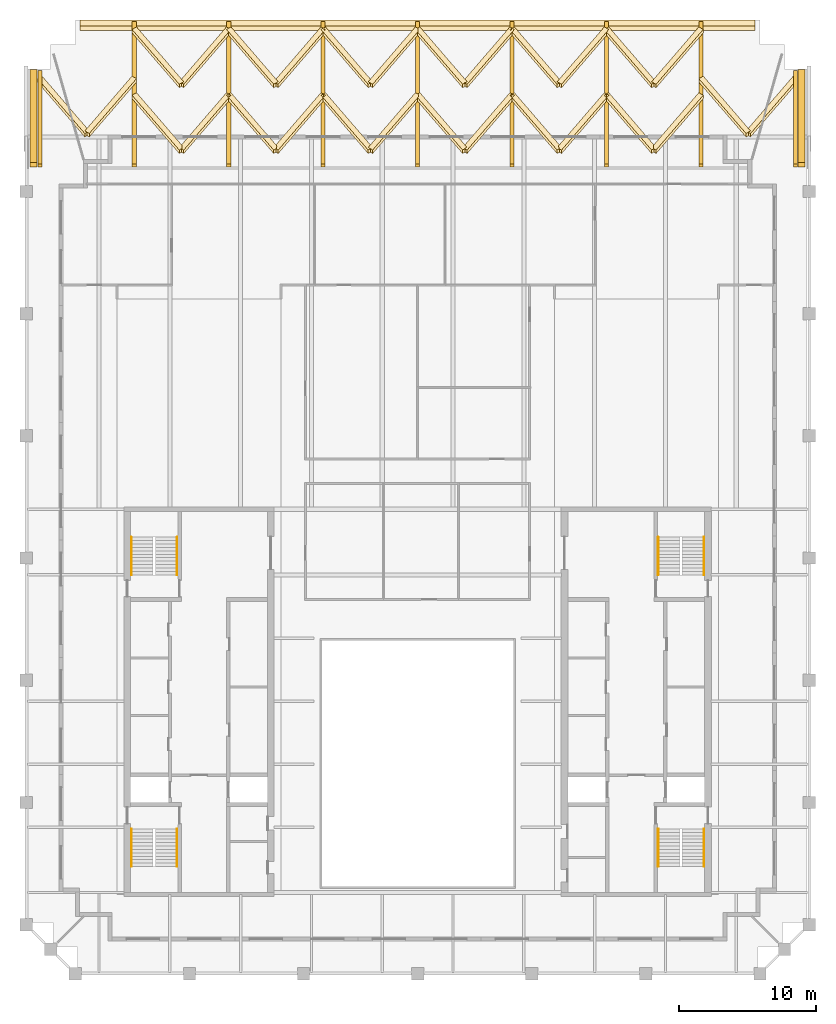
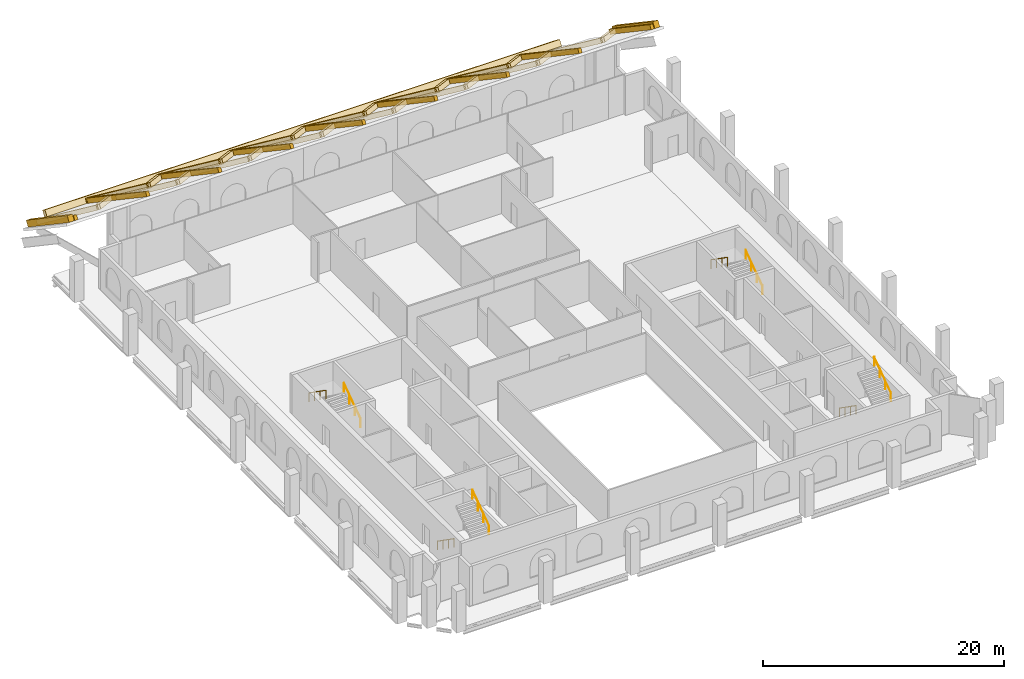
# One storey, part 10 of 10: 40 coverings, 8 railings.
"""IFC4 building model written with IfcOpenShell, lengths in metres."""

from ifc_helpers import new_model, si_unit, direction, frame, origin, origin_2d, place, context, subcontext, project, spatial, rectangle, circle, extrude, material, material_profile, profile_set, type_object, element, save


model = new_model("IFC4")

# Units and contexts
model_context = context("Model", 3, precision=1e-05, world=origin(), true_north=direction((0.0, 1.0)))
body_context = subcontext(model_context, "Body", "Model", "MODEL_VIEW")
ifc_project = project(units=[si_unit("LENGTHUNIT", "METRE"), si_unit("AREAUNIT", "SQUARE_METRE"), si_unit("VOLUMEUNIT", "CUBIC_METRE"), si_unit("PLANEANGLEUNIT", "RADIAN"), si_unit("MASSUNIT", "GRAM", prefix="KILO")], contexts=[model_context])

# Site, building, storey
site_placement = place(None, origin())
site = spatial("IfcSite", under=ifc_project, at=site_placement, CompositionType="ELEMENT")
building_placement = place(site_placement, origin())
building = spatial("IfcBuilding", under=site, at=building_placement, Name="Ogive Exchange Tower", CompositionType="ELEMENT")
storey_placement = place(building_placement, frame((0.0, 0.0, 369.0)))
storey = spatial("IfcBuildingStorey", under=building, at=storey_placement, Name="C01", CompositionType="ELEMENT", Elevation=369.0)

# Railings
ifc_material_1 = material(Name="Stainless steel", Category="steel")
railing_type = type_object("IfcRailingType", Name="Stair handrail 900", PredefinedType="HANDRAIL", material=ifc_material_1)
railing_1_placement = place(storey_placement, frame((-20.949951171875, 2.199951171875, 0.175048828125)))
element("IfcRailing", 1, at=railing_1_placement, inside=storey, type_object=railing_type, Name="C01 ST1 stair handrail 1", PredefinedType="HANDRAIL", context=body_context, shape_type="SweptSolid", body=[
    extrude(circle(Radius=0.02392578125, at=origin_2d()), frame((0.0, 0.0, 0.8759765625), z_axis=(0.0, -0.819225086817, 0.573472106672), x_axis=(1.0, 0.0, 0.0)), (0.0, 0.0, 1.0), 3.35693359375),
    extrude(circle(Radius=0.02099609375, at=origin_2d()), origin(), (0.0, 0.0, 1.0), 0.851806640625),
    extrude(circle(Radius=0.02099609375, at=origin_2d()), frame((0.0, -0.916748046875, 0.6416015625)), (0.0, 0.0, 1.0), 0.851806640625),
    extrude(circle(Radius=0.02099609375, at=origin_2d()), frame((0.0, -1.833251953125, 1.283447265625)), (0.0, 0.0, 1.0), 0.851806640625),
    extrude(circle(Radius=0.02099609375, at=origin_2d()), frame((0.0, -2.75, 1.925048828125)), (0.0, 0.0, 1.0), 0.851806640625),
])
for number, where, name in (
    (2, (-17.60009765625, -0.550048828125, 2.27490234375), "C01 ST1 stair handrail 2"),
    (3, (-17.60009765625, 20.800048828125, 0.175048828125), "C01 ST2 stair handrail 1"),
):
    element("IfcRailing", number, at=place(storey_placement, frame(where)), inside=storey, type_object=railing_type, Name=name, PredefinedType="HANDRAIL", context=body_context, shape_type="SweptSolid", body=[
        extrude(circle(Radius=0.02392578125, at=origin_2d()), frame((0.0, 0.0, 0.8759765625), z_axis=(0.0, 0.819225086817, 0.573472106672), x_axis=(-1.0, 0.0, 0.0)), (0.0, 0.0, 1.0), 3.35693359375),
        extrude(circle(Radius=0.02099609375, at=origin_2d()), origin(), (0.0, 0.0, 1.0), 0.851806640625),
        extrude(circle(Radius=0.02099609375, at=origin_2d()), frame((0.0, 0.916748046875, 0.6416015625)), (0.0, 0.0, 1.0), 0.851806640625),
        extrude(circle(Radius=0.02099609375, at=origin_2d()), frame((0.0, 1.833251953125, 1.283447265625)), (0.0, 0.0, 1.0), 0.851806640625),
        extrude(circle(Radius=0.02099609375, at=origin_2d()), frame((0.0, 2.75, 1.925048828125)), (0.0, 0.0, 1.0), 0.851806640625),
    ])
for number, where, name in (
    (4, (-20.949951171875, 23.550048828125, 2.27490234375), "C01 ST2 stair handrail 2"),
    (5, (17.60009765625, 2.199951171875, 0.175048828125), "C01 ST3 stair handrail 1"),
):
    element("IfcRailing", number, at=place(storey_placement, frame(where)), inside=storey, type_object=railing_type, Name=name, PredefinedType="HANDRAIL", context=body_context, shape_type="SweptSolid", body=[
        extrude(circle(Radius=0.02392578125, at=origin_2d()), frame((0.0, 0.0, 0.8759765625), z_axis=(0.0, -0.819225086817, 0.573472106672), x_axis=(1.0, 0.0, 0.0)), (0.0, 0.0, 1.0), 3.35693359375),
        extrude(circle(Radius=0.02099609375, at=origin_2d()), origin(), (0.0, 0.0, 1.0), 0.851806640625),
        extrude(circle(Radius=0.02099609375, at=origin_2d()), frame((0.0, -0.916748046875, 0.6416015625)), (0.0, 0.0, 1.0), 0.851806640625),
        extrude(circle(Radius=0.02099609375, at=origin_2d()), frame((0.0, -1.833251953125, 1.283447265625)), (0.0, 0.0, 1.0), 0.851806640625),
        extrude(circle(Radius=0.02099609375, at=origin_2d()), frame((0.0, -2.75, 1.925048828125)), (0.0, 0.0, 1.0), 0.851806640625),
    ])
for number, where, name in (
    (6, (20.949951171875, -0.550048828125, 2.27490234375), "C01 ST3 stair handrail 2"),
    (7, (20.949951171875, 20.800048828125, 0.175048828125), "C01 ST4 stair handrail 1"),
):
    element("IfcRailing", number, at=place(storey_placement, frame(where)), inside=storey, type_object=railing_type, Name=name, PredefinedType="HANDRAIL", context=body_context, shape_type="SweptSolid", body=[
        extrude(circle(Radius=0.02392578125, at=origin_2d()), frame((0.0, 0.0, 0.8759765625), z_axis=(0.0, 0.819225086817, 0.573472106672), x_axis=(-1.0, 0.0, 0.0)), (0.0, 0.0, 1.0), 3.35693359375),
        extrude(circle(Radius=0.02099609375, at=origin_2d()), origin(), (0.0, 0.0, 1.0), 0.851806640625),
        extrude(circle(Radius=0.02099609375, at=origin_2d()), frame((0.0, 0.916748046875, 0.6416015625)), (0.0, 0.0, 1.0), 0.851806640625),
        extrude(circle(Radius=0.02099609375, at=origin_2d()), frame((0.0, 1.833251953125, 1.283447265625)), (0.0, 0.0, 1.0), 0.851806640625),
        extrude(circle(Radius=0.02099609375, at=origin_2d()), frame((0.0, 2.75, 1.925048828125)), (0.0, 0.0, 1.0), 0.851806640625),
    ])
railing_2_placement = place(storey_placement, frame((17.60009765625, 23.550048828125, 2.27490234375)))
element("IfcRailing", 8, at=railing_2_placement, inside=storey, type_object=railing_type, Name="C01 ST4 stair handrail 2", PredefinedType="HANDRAIL", context=body_context, shape_type="SweptSolid", body=[
    extrude(circle(Radius=0.02392578125, at=origin_2d()), frame((0.0, 0.0, 0.8759765625), z_axis=(0.0, -0.819225086817, 0.573472106672), x_axis=(1.0, 0.0, 0.0)), (0.0, 0.0, 1.0), 3.35693359375),
    extrude(circle(Radius=0.02099609375, at=origin_2d()), origin(), (0.0, 0.0, 1.0), 0.851806640625),
    extrude(circle(Radius=0.02099609375, at=origin_2d()), frame((0.0, -0.916748046875, 0.6416015625)), (0.0, 0.0, 1.0), 0.851806640625),
    extrude(circle(Radius=0.02099609375, at=origin_2d()), frame((0.0, -1.833251953125, 1.283447265625)), (0.0, 0.0, 1.0), 0.851806640625),
    extrude(circle(Radius=0.02099609375, at=origin_2d()), frame((0.0, -2.75, 1.925048828125)), (0.0, 0.0, 1.0), 0.851806640625),
])

# Coverings
ifc_material_2 = material(Name="Limestone cladding on precast concrete", Category="masonry")
ifc_material_profile_1 = material_profile(ifc_material_2, rectangle(XDim=0.5, YDim=0.60009765625, at=origin_2d()), Name="CORNICE 500 x 600")
ifc_profile_set_1 = profile_set([ifc_material_profile_1], Name="Limestone cladding on precast concrete")
covering_type_1 = type_object("IfcCoveringType", Name="Stone cornice course 500 x 600", PredefinedType="CLADDING", material=ifc_profile_set_1)
covering_1_placement = place(storey_placement, frame((-24.699951171875, 61.01806640625, -0.0458984375), z_axis=(1.0, 0.0, 0.0), x_axis=(0.0, 0.829037572555, -0.559192903471)))
element("IfcCovering", 9, at=covering_1_placement, inside=storey, type_object=covering_type_1, Name="Stone cornice course", PredefinedType="CLADDING", context=body_context, shape_type="SweptSolid", body=[
    extrude(rectangle(XDim=0.5, YDim=0.60009765625, at=origin_2d()), origin(), (0.0, 0.0, 1.0), 49.39990234375),
])
for number, where, z_axis, x_axis, name in (
    (10, (-28.10009765625, 50.7958984375, 6.84912109375), (0.0, 0.829007195984, -0.559237935951), (-1.0, 0.0, 0.0), "Stone cornice course"),
    (11, (28.10009765625, 50.7958984375, 6.84912109375), (0.0, 0.829007195984, -0.559237935951), (-1.0, 0.0, 0.0), "Stone cornice course"),
):
    element("IfcCovering", number, at=place(storey_placement, frame(where, z_axis=z_axis, x_axis=x_axis)), inside=storey, type_object=covering_type_1, Name=name, PredefinedType="CLADDING", context=body_context, shape_type="SweptSolid", body=[
        extrude(rectangle(XDim=0.5, YDim=0.60009765625, at=origin_2d()), origin(), (0.0, 0.0, 1.0), 8.229248046875),
    ])
ifc_material_profile_2 = material_profile(ifc_material_2, rectangle(XDim=0.300048828125, YDim=0.449951171875, at=origin_2d()), Name="RIB 300 x 450")
ifc_profile_set_2 = profile_set([ifc_material_profile_2], Name="Limestone cladding on precast concrete")
covering_type_2 = type_object("IfcCoveringType", Name="Stone roof rib 300 x 450", PredefinedType="CLADDING", material=ifc_profile_set_2)
covering_2_placement = place(storey_placement, frame((-27.64990234375, 57.575927734375, 2.18505859375), z_axis=(0.0, -0.829075967189, 0.55913597687), x_axis=(1.0, 0.0, 0.0)))
element("IfcCovering", 12, at=covering_2_placement, inside=storey, type_object=covering_type_2, Name="Stone roof rib", PredefinedType="CLADDING", context=body_context, shape_type="SweptSolid", body=[
    extrude(rectangle(XDim=0.300048828125, YDim=0.449951171875, at=origin_2d()), origin(), (0.0, 0.0, 1.0), 8.228515625),
])
for number, where, z_axis, x_axis, name in (
    (13, (-20.737060546875, 61.176025390625, -0.242919921875), (0.0, -0.829074431935, 0.559138253307), (1.0, 0.0, 0.0), "Stone roof rib"),
    (14, (-13.824951171875, 61.176025390625, -0.242919921875), (0.0, -0.829074431935, 0.559138253307), (1.0, 0.0, 0.0), "Stone roof rib"),
    (15, (-6.9130859375, 61.176025390625, -0.242919921875), (0.0, -0.829074431935, 0.559138253307), (1.0, 0.0, 0.0), "Stone roof rib"),
    (16, (0.0, 61.176025390625, -0.242919921875), (0.0, -0.829074431935, 0.559138253307), (1.0, 0.0, 0.0), "Stone roof rib"),
    (17, (6.9130859375, 61.176025390625, -0.242919921875), (0.0, -0.829074431935, 0.559138253307), (1.0, 0.0, 0.0), "Stone roof rib"),
    (18, (13.824951171875, 61.176025390625, -0.242919921875), (0.0, -0.829074431935, 0.559138253307), (1.0, 0.0, 0.0), "Stone roof rib"),
    (19, (20.737060546875, 61.176025390625, -0.242919921875), (0.0, -0.829074431935, 0.559138253307), (1.0, 0.0, 0.0), "Stone roof rib"),
):
    element("IfcCovering", number, at=place(storey_placement, frame(where, z_axis=z_axis, x_axis=x_axis)), inside=storey, type_object=covering_type_2, Name=name, PredefinedType="CLADDING", context=body_context, shape_type="SweptSolid", body=[
        extrude(rectangle(XDim=0.300048828125, YDim=0.449951171875, at=origin_2d()), origin(), (0.0, 0.0, 1.0), 12.57080078125),
    ])
covering_3_placement = place(storey_placement, frame((27.64990234375, 57.575927734375, 2.18505859375), z_axis=(0.0, -0.829075967189, 0.55913597687), x_axis=(1.0, 0.0, 0.0)))
element("IfcCovering", 20, at=covering_3_placement, inside=storey, type_object=covering_type_2, Name="Stone roof rib", PredefinedType="CLADDING", context=body_context, shape_type="SweptSolid", body=[
    extrude(rectangle(XDim=0.300048828125, YDim=0.449951171875, at=origin_2d()), origin(), (0.0, 0.0, 1.0), 8.228515625),
])
ifc_material_profile_3 = material_profile(ifc_material_2, rectangle(XDim=0.39990234375, YDim=0.449951171875, at=origin_2d()), Name="TRACERY 400 x 450")
ifc_profile_set_3 = profile_set([ifc_material_profile_3], Name="Limestone cladding on precast concrete")
covering_type_3 = type_object("IfcCoveringType", Name="Stone tracery arch 400 x 450", PredefinedType="CLADDING", material=ifc_profile_set_3)
covering_4_placement = place(storey_placement, frame((-27.64990234375, 57.075927734375, 2.52197265625), z_axis=(0.581147534027, -0.674673078535, 0.455064589696), x_axis=(0.813798219588, 0.481769317244, -0.325008896428)))
element("IfcCovering", 21, at=covering_4_placement, inside=storey, type_object=covering_type_3, Name="Stone tracery arch", PredefinedType="CLADDING", context=body_context, shape_type="SweptSolid", body=[
    extrude(rectangle(XDim=0.39990234375, YDim=0.449951171875, at=origin_2d()), origin(), (0.0, 0.0, 1.0), 5.946533203125),
])
covering_5_placement = place(storey_placement, frame((-20.737060546875, 57.075927734375, 2.52197265625), z_axis=(-0.581283459948, -0.674592591619, 0.455010301558), x_axis=(0.813701135867, -0.481926443477, 0.325019021853)))
element("IfcCovering", 22, at=covering_5_placement, inside=storey, type_object=covering_type_3, Name="Stone tracery arch", PredefinedType="CLADDING", context=body_context, shape_type="SweptSolid", body=[
    extrude(rectangle(XDim=0.39990234375, YDim=0.449951171875, at=origin_2d()), origin(), (0.0, 0.0, 1.0), 5.947265625),
])
for number, where, z_axis, x_axis, name in (
    (23, (-20.737060546875, 60.676025390625, 0.093994140625), (0.581174723103, -0.674656981121, 0.455053732048), (0.813778803618, 0.481820266966, -0.324981982766), "Stone tracery arch"),
    (24, (-13.824951171875, 60.676025390625, 0.093994140625), (-0.581174723103, -0.674656981121, 0.455053732048), (0.813778803618, -0.481820266966, 0.324981982766), "Stone tracery arch"),
):
    element("IfcCovering", number, at=place(storey_placement, frame(where, z_axis=z_axis, x_axis=x_axis)), inside=storey, type_object=covering_type_3, Name=name, PredefinedType="CLADDING", context=body_context, shape_type="SweptSolid", body=[
        extrude(rectangle(XDim=0.39990234375, YDim=0.449951171875, at=origin_2d()), origin(), (0.0, 0.0, 1.0), 5.94677734375),
    ])
for number, where, z_axis, x_axis, name in (
    (25, (-20.737060546875, 55.864013671875, 3.340087890625), (0.58118558056, -0.674669585006, 0.455021177547), (0.813771049287, 0.481829268585, -0.324988054052), "Stone tracery arch"),
    (26, (-13.824951171875, 55.864013671875, 3.340087890625), (-0.58118558056, -0.674669585006, 0.455021177547), (0.813771049287, -0.481829268585, 0.324988054052), "Stone tracery arch"),
):
    element("IfcCovering", number, at=place(storey_placement, frame(where, z_axis=z_axis, x_axis=x_axis)), inside=storey, type_object=covering_type_3, Name=name, PredefinedType="CLADDING", context=body_context, shape_type="SweptSolid", body=[
        extrude(rectangle(XDim=0.39990234375, YDim=0.449951171875, at=origin_2d()), origin(), (0.0, 0.0, 1.0), 5.946533203125),
    ])
covering_6_placement = place(storey_placement, frame((-13.824951171875, 60.676025390625, 0.093994140625), z_axis=(0.581174723103, -0.674656981121, 0.455053732048), x_axis=(0.813778803618, 0.481820266966, -0.324981982766)))
element("IfcCovering", 27, at=covering_6_placement, inside=storey, type_object=covering_type_3, Name="Stone tracery arch", PredefinedType="CLADDING", context=body_context, shape_type="SweptSolid", body=[
    extrude(rectangle(XDim=0.39990234375, YDim=0.449951171875, at=origin_2d()), origin(), (0.0, 0.0, 1.0), 5.94677734375),
])
for number, where, z_axis, x_axis, name in (
    (28, (-6.9130859375, 60.676025390625, 0.093994140625), (-0.581147534027, -0.674673078535, 0.455064589696), (0.81379822044, -0.481788837022, 0.324979957735), "Stone tracery arch"),
    (29, (-13.824951171875, 55.864013671875, 3.340087890625), (0.58118558056, -0.674669585006, 0.455021177547), (0.813771049287, 0.481829268585, -0.324988054052), "Stone tracery arch"),
    (30, (-6.9130859375, 55.864013671875, 3.340087890625), (-0.581158391494, -0.674685683322, 0.455032034824), (0.813790466335, -0.481797839015, 0.324986029274), "Stone tracery arch"),
):
    element("IfcCovering", number, at=place(storey_placement, frame(where, z_axis=z_axis, x_axis=x_axis)), inside=storey, type_object=covering_type_3, Name=name, PredefinedType="CLADDING", context=body_context, shape_type="SweptSolid", body=[
        extrude(rectangle(XDim=0.39990234375, YDim=0.449951171875, at=origin_2d()), origin(), (0.0, 0.0, 1.0), 5.946533203125),
    ])
covering_7_placement = place(storey_placement, frame((-6.9130859375, 60.676025390625, 0.093994140625), z_axis=(0.581174723103, -0.674656981121, 0.455053732048), x_axis=(0.813778803219, 0.481800747454, -0.325010921639)))
element("IfcCovering", 31, at=covering_7_placement, inside=storey, type_object=covering_type_3, Name="Stone tracery arch", PredefinedType="CLADDING", context=body_context, shape_type="SweptSolid", body=[
    extrude(rectangle(XDim=0.39990234375, YDim=0.449951171875, at=origin_2d()), origin(), (0.0, 0.0, 1.0), 5.94677734375),
])
covering_8_placement = place(storey_placement, frame((0.0, 60.676025390625, 0.093994140625), z_axis=(-0.581283459948, -0.674592591619, 0.455010301558), x_axis=(0.813701135867, -0.481926443477, 0.325019021853)))
element("IfcCovering", 32, at=covering_8_placement, inside=storey, type_object=covering_type_3, Name="Stone tracery arch", PredefinedType="CLADDING", context=body_context, shape_type="SweptSolid", body=[
    extrude(rectangle(XDim=0.39990234375, YDim=0.449951171875, at=origin_2d()), origin(), (0.0, 0.0, 1.0), 5.947265625),
])
covering_9_placement = place(storey_placement, frame((-6.9130859375, 55.864013671875, 3.340087890625), z_axis=(0.58118558056, -0.674669585006, 0.455021177547), x_axis=(0.813771048197, 0.481809749875, -0.325016993466)))
element("IfcCovering", 33, at=covering_9_placement, inside=storey, type_object=covering_type_3, Name="Stone tracery arch", PredefinedType="CLADDING", context=body_context, shape_type="SweptSolid", body=[
    extrude(rectangle(XDim=0.39990234375, YDim=0.449951171875, at=origin_2d()), origin(), (0.0, 0.0, 1.0), 5.946533203125),
])
covering_10_placement = place(storey_placement, frame((0.0, 55.864013671875, 3.340087890625), z_axis=(-0.581294317364, -0.674605191896, 0.454977748541), x_axis=(0.813693379942, -0.481935444404, 0.325025092672)))
element("IfcCovering", 34, at=covering_10_placement, inside=storey, type_object=covering_type_3, Name="Stone tracery arch", PredefinedType="CLADDING", context=body_context, shape_type="SweptSolid", body=[
    extrude(rectangle(XDim=0.39990234375, YDim=0.449951171875, at=origin_2d()), origin(), (0.0, 0.0, 1.0), 5.947021484375),
])
covering_11_placement = place(storey_placement, frame((0.0, 60.676025390625, 0.093994140625), z_axis=(0.581283459948, -0.674592591619, 0.455010301558), x_axis=(0.813701135867, 0.481926443477, -0.325019021853)))
element("IfcCovering", 35, at=covering_11_placement, inside=storey, type_object=covering_type_3, Name="Stone tracery arch", PredefinedType="CLADDING", context=body_context, shape_type="SweptSolid", body=[
    extrude(rectangle(XDim=0.39990234375, YDim=0.449951171875, at=origin_2d()), origin(), (0.0, 0.0, 1.0), 5.947265625),
])
covering_12_placement = place(storey_placement, frame((6.9130859375, 60.676025390625, 0.093994140625), z_axis=(-0.581174723103, -0.674656981121, 0.455053732048), x_axis=(0.813778803219, -0.481800747454, 0.325010921639)))
element("IfcCovering", 36, at=covering_12_placement, inside=storey, type_object=covering_type_3, Name="Stone tracery arch", PredefinedType="CLADDING", context=body_context, shape_type="SweptSolid", body=[
    extrude(rectangle(XDim=0.39990234375, YDim=0.449951171875, at=origin_2d()), origin(), (0.0, 0.0, 1.0), 5.94677734375),
])
covering_13_placement = place(storey_placement, frame((0.0, 55.864013671875, 3.340087890625), z_axis=(0.581294317364, -0.674605191896, 0.454977748541), x_axis=(0.813693379942, 0.481935444404, -0.325025092672)))
element("IfcCovering", 37, at=covering_13_placement, inside=storey, type_object=covering_type_3, Name="Stone tracery arch", PredefinedType="CLADDING", context=body_context, shape_type="SweptSolid", body=[
    extrude(rectangle(XDim=0.39990234375, YDim=0.449951171875, at=origin_2d()), origin(), (0.0, 0.0, 1.0), 5.947021484375),
])
for number, where, z_axis, x_axis, name in (
    (38, (6.9130859375, 55.864013671875, 3.340087890625), (-0.58118558056, -0.674669585006, 0.455021177547), (0.813771048197, -0.481809749875, 0.325016993466), "Stone tracery arch"),
    (39, (6.9130859375, 60.676025390625, 0.093994140625), (0.581147534027, -0.674673078535, 0.455064589696), (0.81379822044, 0.481788837022, -0.324979957735), "Stone tracery arch"),
):
    element("IfcCovering", number, at=place(storey_placement, frame(where, z_axis=z_axis, x_axis=x_axis)), inside=storey, type_object=covering_type_3, Name=name, PredefinedType="CLADDING", context=body_context, shape_type="SweptSolid", body=[
        extrude(rectangle(XDim=0.39990234375, YDim=0.449951171875, at=origin_2d()), origin(), (0.0, 0.0, 1.0), 5.946533203125),
    ])
covering_14_placement = place(storey_placement, frame((13.824951171875, 60.676025390625, 0.093994140625), z_axis=(-0.581174723103, -0.674656981121, 0.455053732048), x_axis=(0.813778803618, -0.481820266966, 0.324981982766)))
element("IfcCovering", 40, at=covering_14_placement, inside=storey, type_object=covering_type_3, Name="Stone tracery arch", PredefinedType="CLADDING", context=body_context, shape_type="SweptSolid", body=[
    extrude(rectangle(XDim=0.39990234375, YDim=0.449951171875, at=origin_2d()), origin(), (0.0, 0.0, 1.0), 5.94677734375),
])
for number, where, z_axis, x_axis, name in (
    (41, (6.9130859375, 55.864013671875, 3.340087890625), (0.581158391494, -0.674685683322, 0.455032034824), (0.813790466335, 0.481797839015, -0.324986029274), "Stone tracery arch"),
    (42, (13.824951171875, 55.864013671875, 3.340087890625), (-0.58118558056, -0.674669585006, 0.455021177547), (0.813771049287, -0.481829268585, 0.324988054052), "Stone tracery arch"),
):
    element("IfcCovering", number, at=place(storey_placement, frame(where, z_axis=z_axis, x_axis=x_axis)), inside=storey, type_object=covering_type_3, Name=name, PredefinedType="CLADDING", context=body_context, shape_type="SweptSolid", body=[
        extrude(rectangle(XDim=0.39990234375, YDim=0.449951171875, at=origin_2d()), origin(), (0.0, 0.0, 1.0), 5.946533203125),
    ])
for number, where, z_axis, x_axis, name in (
    (43, (13.824951171875, 60.676025390625, 0.093994140625), (0.581174723103, -0.674656981121, 0.455053732048), (0.813778803618, 0.481820266966, -0.324981982766), "Stone tracery arch"),
    (44, (20.737060546875, 60.676025390625, 0.093994140625), (-0.581174723103, -0.674656981121, 0.455053732048), (0.813778803618, -0.481820266966, 0.324981982766), "Stone tracery arch"),
):
    element("IfcCovering", number, at=place(storey_placement, frame(where, z_axis=z_axis, x_axis=x_axis)), inside=storey, type_object=covering_type_3, Name=name, PredefinedType="CLADDING", context=body_context, shape_type="SweptSolid", body=[
        extrude(rectangle(XDim=0.39990234375, YDim=0.449951171875, at=origin_2d()), origin(), (0.0, 0.0, 1.0), 5.94677734375),
    ])
for number, where, z_axis, x_axis, name in (
    (45, (13.824951171875, 55.864013671875, 3.340087890625), (0.58118558056, -0.674669585006, 0.455021177547), (0.813771049287, 0.481829268585, -0.324988054052), "Stone tracery arch"),
    (46, (20.737060546875, 55.864013671875, 3.340087890625), (-0.58118558056, -0.674669585006, 0.455021177547), (0.813771049287, -0.481829268585, 0.324988054052), "Stone tracery arch"),
):
    element("IfcCovering", number, at=place(storey_placement, frame(where, z_axis=z_axis, x_axis=x_axis)), inside=storey, type_object=covering_type_3, Name=name, PredefinedType="CLADDING", context=body_context, shape_type="SweptSolid", body=[
        extrude(rectangle(XDim=0.39990234375, YDim=0.449951171875, at=origin_2d()), origin(), (0.0, 0.0, 1.0), 5.946533203125),
    ])
covering_15_placement = place(storey_placement, frame((20.737060546875, 57.075927734375, 2.52197265625), z_axis=(0.581283459948, -0.674592591619, 0.455010301558), x_axis=(0.813701135867, 0.481926443477, -0.325019021853)))
element("IfcCovering", 47, at=covering_15_placement, inside=storey, type_object=covering_type_3, Name="Stone tracery arch", PredefinedType="CLADDING", context=body_context, shape_type="SweptSolid", body=[
    extrude(rectangle(XDim=0.39990234375, YDim=0.449951171875, at=origin_2d()), origin(), (0.0, 0.0, 1.0), 5.947265625),
])
covering_16_placement = place(storey_placement, frame((27.64990234375, 57.075927734375, 2.52197265625), z_axis=(-0.581147534027, -0.674673078535, 0.455064589696), x_axis=(0.813798219588, -0.481769317244, 0.325008896428)))
element("IfcCovering", 48, at=covering_16_placement, inside=storey, type_object=covering_type_3, Name="Stone tracery arch", PredefinedType="CLADDING", context=body_context, shape_type="SweptSolid", body=[
    extrude(rectangle(XDim=0.39990234375, YDim=0.449951171875, at=origin_2d()), origin(), (0.0, 0.0, 1.0), 5.946533203125),
])

save(model, "model.ifc")
